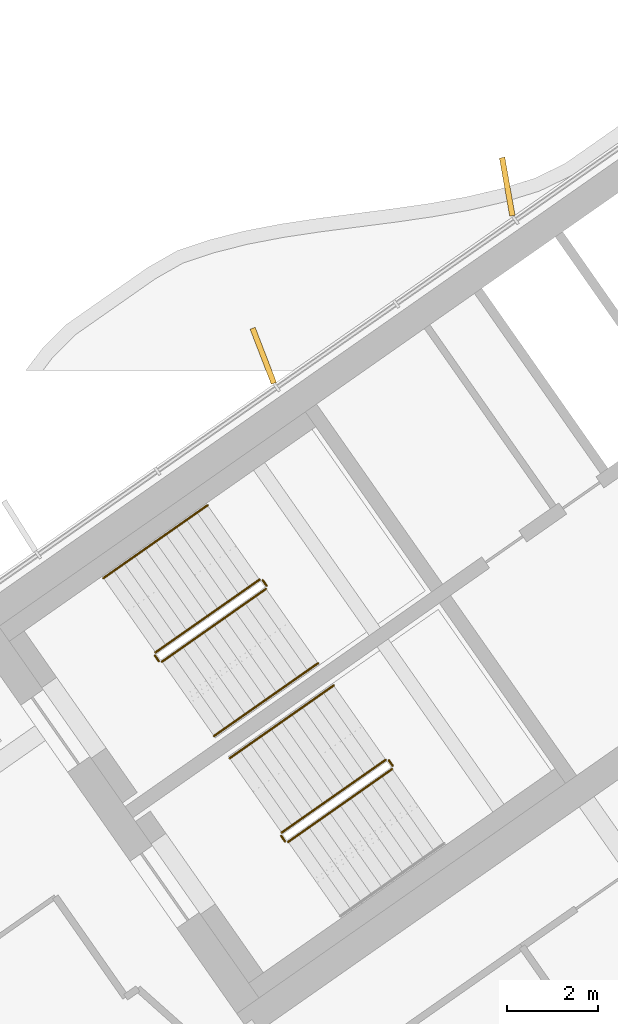
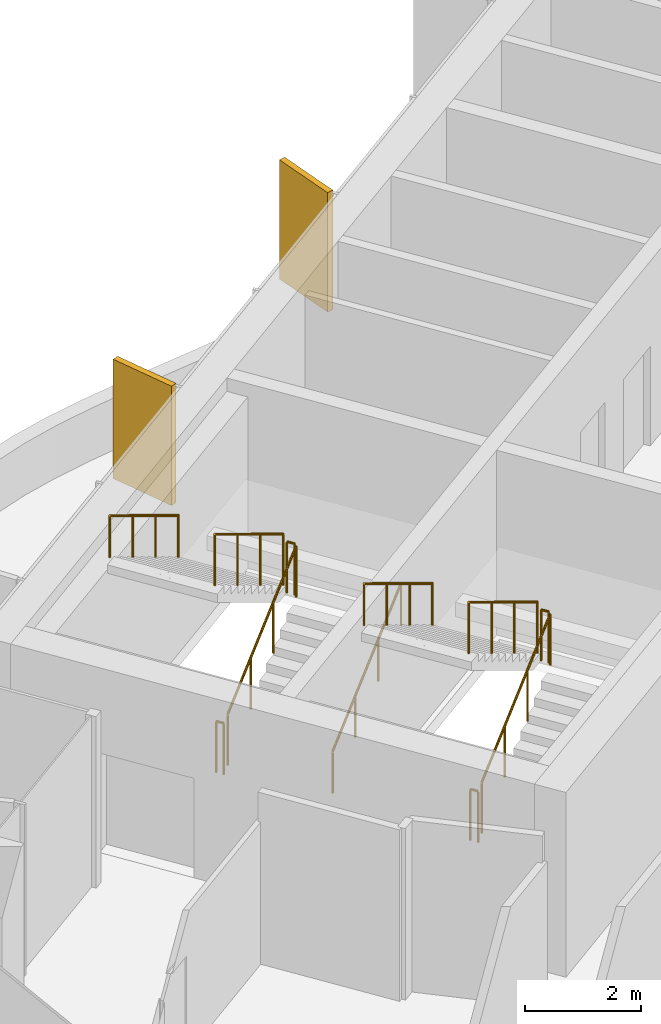
# One storey, part 17 of 20: 11 railings, 2 shading devices.
"""IFC4 building model written with IfcOpenShell, lengths in metres."""

from ifc_helpers import new_model, si_unit, direction, frame, origin, origin_2d, place, context, subcontext, project, spatial, rectangle, circle, extrude, material, layer, layer_set, type_object, element, save


model = new_model("IFC4")

# Units and contexts
model_context = context("Model", 3, precision=1e-05, world=origin(), true_north=direction((0.0, 1.0)))
body_context = subcontext(model_context, "Body", "Model", "MODEL_VIEW")
ifc_project = project(units=[si_unit("LENGTHUNIT", "METRE"), si_unit("AREAUNIT", "SQUARE_METRE"), si_unit("VOLUMEUNIT", "CUBIC_METRE"), si_unit("PLANEANGLEUNIT", "RADIAN"), si_unit("MASSUNIT", "GRAM", prefix="KILO")], contexts=[model_context])

# Site, building, storey
site_placement = place(None, origin())
site = spatial("IfcSite", under=ifc_project, at=site_placement, CompositionType="ELEMENT")
building_placement = place(site_placement, origin())
building = spatial("IfcBuilding", under=site, at=building_placement, Name="Tel Ilan Convention Tower", CompositionType="ELEMENT")
storey_placement = place(building_placement, frame((0.0, 0.0, 233.199951171875)))
storey = spatial("IfcBuildingStorey", under=building, at=storey_placement, Name="L54", CompositionType="ELEMENT", Elevation=233.199951171875)

# Shading devices
ifc_material_1 = material(Name="Aluminium, bronze anodised", Category="aluminium")
ifc_layer = layer(ifc_material_1, 0.1201171875)
ifc_layer_set = layer_set([ifc_layer], Name="FIN BRONZE 1300x120")
shading_device_type = type_object("IfcShadingDeviceType", Name="FIN BRONZE 1300x120", PredefinedType="USERDEFINED", material=ifc_layer_set)
for number, where, z_axis, x_axis, name in (
    (1, (-15.9228515625, 2.41845703125, 1.10009765625), (0.0, 0.0, 1.0), (-0.173648177667, 0.984807753012, 0.0), "FIN"),
    (2, (-21.302978515625, -1.31103515625, 1.10009765625), (0.0, 0.0, 1.0), (-0.360177724803, 0.932883704733, 0.0), "FIN"),
):
    element("IfcShadingDevice", number, at=place(storey_placement, frame(where, z_axis=z_axis, x_axis=x_axis)), inside=storey, type_object=shading_device_type, Name=name, ObjectType="FIN", PredefinedType="USERDEFINED", context=body_context, shape_type="SweptSolid", body=[
        extrude(rectangle(XDim=1.300048828125, YDim=0.1201171875, at=origin_2d()), origin(), (0.0, 0.0, 1.0), 2.52001953125),
    ])

# Railings
ifc_material_2 = material(Name="Stainless Steel Grade 316", Category="steel")
railing_type_1 = type_object("IfcRailingType", Name="Stainless Steel Stair Guard 1100 mm", PredefinedType="GUARDRAIL", material=ifc_material_2)
railing_1_placement = place(storey_placement, frame((-23.535400390625, -8.056396484375, 0.17724609375)))
element("IfcRailing", 3, at=railing_1_placement, inside=storey, type_object=railing_type_1, Name="L54 S1 stair guard 1", PredefinedType="GUARDRAIL", context=body_context, shape_type="SweptSolid", body=[
    extrude(circle(Radius=0.02392578125, at=origin_2d()), frame((0.0, 0.0, 1.076171875), z_axis=(0.692098378994, 0.484653031975, 0.534893701956), x_axis=(-0.573608623498, 0.819129505664, 0.0)), (0.0, 0.0, 1.0), 3.314208984375),
    extrude(circle(Radius=0.02099609375, at=origin_2d()), origin(), (0.0, 0.0, 1.0), 1.052001953125),
    extrude(circle(Radius=0.02099609375, at=origin_2d()), frame((0.7646484375, 0.535400390625, 0.5908203125)), (0.0, 0.0, 1.0), 1.052001953125),
    extrude(circle(Radius=0.02099609375, at=origin_2d()), frame((1.529052734375, 1.07080078125, 1.181884765625)), (0.0, 0.0, 1.0), 1.052001953125),
    extrude(circle(Radius=0.02099609375, at=origin_2d()), frame((2.293701171875, 1.606201171875, 1.772705078125)), (0.0, 0.0, 1.0), 1.052001953125),
])
railing_2_placement = place(storey_placement, frame((-21.2294921875, -6.380615234375, 1.949951171875)))
element("IfcRailing", 4, at=railing_2_placement, inside=storey, type_object=railing_type_1, Name="L54 S1 stair guard 2", PredefinedType="GUARDRAIL", context=body_context, shape_type="SweptSolid", body=[
    extrude(circle(Radius=0.02392578125, at=origin_2d()), frame((0.0, 0.0, 1.076171875), z_axis=(-0.573353020881, 0.819308436089, 0.0), x_axis=(-0.819308436089, -0.573353020881, 0.0)), (0.0, 0.0, 1.0), 0.14990234375),
    extrude(circle(Radius=0.02099609375, at=origin_2d()), origin(), (0.0, 0.0, 1.0), 1.052001953125),
    extrude(circle(Radius=0.02099609375, at=origin_2d()), frame((-0.0859375, 0.122802734375, 0.0)), (0.0, 0.0, 1.0), 1.052001953125),
])
railing_3_placement = place(storey_placement, frame((-21.38525390625, -6.24560546875, 2.12744140625)))
element("IfcRailing", 5, at=railing_3_placement, inside=storey, type_object=railing_type_1, Name="L54 S1 stair guard 3", PredefinedType="GUARDRAIL", context=body_context, shape_type="SweptSolid", body=[
    extrude(circle(Radius=0.02392578125, at=origin_2d()), frame((0.0, 0.0, 1.076171875), z_axis=(-0.692084706163, -0.484621375041, 0.534940073605), x_axis=(0.573591086599, -0.819141785879, 0.0)), (0.0, 0.0, 1.0), 3.313720703125),
    extrude(circle(Radius=0.02099609375, at=origin_2d()), origin(), (0.0, 0.0, 1.0), 1.052001953125),
    extrude(circle(Radius=0.02099609375, at=origin_2d()), frame((-0.764404296875, -0.535400390625, 0.5908203125)), (0.0, 0.0, 1.0), 1.052001953125),
    extrude(circle(Radius=0.02099609375, at=origin_2d()), frame((-1.529052734375, -1.070556640625, 1.181884765625)), (0.0, 0.0, 1.0), 1.052001953125),
    extrude(circle(Radius=0.02099609375, at=origin_2d()), frame((-2.29345703125, -1.60595703125, 1.772705078125)), (0.0, 0.0, 1.0), 1.052001953125),
])
railing_4_placement = place(storey_placement, frame((-23.60498046875, -8.0439453125, 0.0)))
element("IfcRailing", 6, at=railing_4_placement, inside=storey, type_object=railing_type_1, Name="L54 S1 stair guard 4", PredefinedType="GUARDRAIL", context=body_context, shape_type="SweptSolid", body=[
    extrude(circle(Radius=0.02392578125, at=origin_2d()), frame((0.0, 0.0, 1.076171875), z_axis=(-0.574444878118, 0.818543268254, 0.0), x_axis=(-0.818543268254, -0.574444878118, 0.0)), (0.0, 0.0, 1.0), 0.150146484375),
    extrude(circle(Radius=0.02099609375, at=origin_2d()), origin(), (0.0, 0.0, 1.0), 1.052001953125),
    extrude(circle(Radius=0.02099609375, at=origin_2d()), frame((-0.086181640625, 0.122802734375, 0.0)), (0.0, 0.0, 1.0), 1.052001953125),
])
railing_5_placement = place(storey_placement, frame((-20.753662109375, -12.029296875, 0.17724609375)))
element("IfcRailing", 7, at=railing_5_placement, inside=storey, type_object=railing_type_1, Name="L54 S2 stair guard 1", PredefinedType="GUARDRAIL", context=body_context, shape_type="SweptSolid", body=[
    extrude(circle(Radius=0.02392578125, at=origin_2d()), frame((0.0, 0.0, 1.076171875), z_axis=(0.692098378994, 0.484653031975, 0.534893701956), x_axis=(-0.573608623498, 0.819129505664, 0.0)), (0.0, 0.0, 1.0), 3.314208984375),
    extrude(circle(Radius=0.02099609375, at=origin_2d()), origin(), (0.0, 0.0, 1.0), 1.052001953125),
    extrude(circle(Radius=0.02099609375, at=origin_2d()), frame((0.7646484375, 0.535400390625, 0.5908203125)), (0.0, 0.0, 1.0), 1.052001953125),
    extrude(circle(Radius=0.02099609375, at=origin_2d()), frame((1.529052734375, 1.07080078125, 1.181884765625)), (0.0, 0.0, 1.0), 1.052001953125),
    extrude(circle(Radius=0.02099609375, at=origin_2d()), frame((2.293701171875, 1.606201171875, 1.772705078125)), (0.0, 0.0, 1.0), 1.052001953125),
])
railing_6_placement = place(storey_placement, frame((-18.44775390625, -10.353515625, 1.949951171875)))
element("IfcRailing", 8, at=railing_6_placement, inside=storey, type_object=railing_type_1, Name="L54 S2 stair guard 2", PredefinedType="GUARDRAIL", context=body_context, shape_type="SweptSolid", body=[
    extrude(circle(Radius=0.02392578125, at=origin_2d()), frame((0.0, 0.0, 1.076171875), z_axis=(-0.573353020881, 0.819308436089, 0.0), x_axis=(-0.819308436089, -0.573353020881, 0.0)), (0.0, 0.0, 1.0), 0.14990234375),
    extrude(circle(Radius=0.02099609375, at=origin_2d()), origin(), (0.0, 0.0, 1.0), 1.052001953125),
    extrude(circle(Radius=0.02099609375, at=origin_2d()), frame((-0.0859375, 0.122802734375, 0.0)), (0.0, 0.0, 1.0), 1.052001953125),
])
railing_7_placement = place(storey_placement, frame((-18.603271484375, -10.218505859375, 2.12744140625)))
element("IfcRailing", 9, at=railing_7_placement, inside=storey, type_object=railing_type_1, Name="L54 S2 stair guard 3", PredefinedType="GUARDRAIL", context=body_context, shape_type="SweptSolid", body=[
    extrude(circle(Radius=0.02392578125, at=origin_2d()), frame((0.0, 0.0, 1.076171875), z_axis=(-0.692123088272, -0.484596665743, 0.534912798717), x_axis=(0.573550118428, -0.819170471667, 0.0)), (0.0, 0.0, 1.0), 3.31396484375),
    extrude(circle(Radius=0.02099609375, at=origin_2d()), origin(), (0.0, 0.0, 1.0), 1.052001953125),
    extrude(circle(Radius=0.02099609375, at=origin_2d()), frame((-0.7646484375, -0.535400390625, 0.5908203125)), (0.0, 0.0, 1.0), 1.052001953125),
    extrude(circle(Radius=0.02099609375, at=origin_2d()), frame((-1.529052734375, -1.070556640625, 1.181884765625)), (0.0, 0.0, 1.0), 1.052001953125),
    extrude(circle(Radius=0.02099609375, at=origin_2d()), frame((-2.293701171875, -1.60595703125, 1.772705078125)), (0.0, 0.0, 1.0), 1.052001953125),
])
railing_8_placement = place(storey_placement, frame((-20.8232421875, -12.016845703125, 0.0)))
element("IfcRailing", 10, at=railing_8_placement, inside=storey, type_object=railing_type_1, Name="L54 S2 stair guard 4", PredefinedType="GUARDRAIL", context=body_context, shape_type="SweptSolid", body=[
    extrude(circle(Radius=0.02392578125, at=origin_2d()), frame((0.0, 0.0, 1.076171875), z_axis=(-0.573353020881, 0.819308436089, 0.0), x_axis=(-0.819308436089, -0.573353020881, 0.0)), (0.0, 0.0, 1.0), 0.14990234375),
    extrude(circle(Radius=0.02099609375, at=origin_2d()), origin(), (0.0, 0.0, 1.0), 1.052001953125),
    extrude(circle(Radius=0.02099609375, at=origin_2d()), frame((-0.0859375, 0.122802734375, 0.0)), (0.0, 0.0, 1.0), 1.052001953125),
])
ifc_material_3 = material(Name="Stainless Steel Grade 316", Category="steel")
railing_type_2 = type_object("IfcRailingType", Name="Stainless Steel Stair Handrail 900 mm", PredefinedType="HANDRAIL", material=ifc_material_3)
railing_9_placement = place(storey_placement, frame((-22.38818359375, -9.694580078125, 0.17724609375)))
element("IfcRailing", 11, at=railing_9_placement, inside=storey, type_object=railing_type_2, Name="L54 S1 stair handrail 1", PredefinedType="HANDRAIL", context=body_context, shape_type="SweptSolid", body=[
    extrude(circle(Radius=0.02392578125, at=origin_2d()), frame((0.0, 0.0, 0.8759765625), z_axis=(0.692084706163, 0.484621375041, 0.534940073605), x_axis=(-0.573591086599, 0.819141785879, 0.0)), (0.0, 0.0, 1.0), 3.313720703125),
    extrude(circle(Radius=0.02099609375, at=origin_2d()), origin(), (0.0, 0.0, 1.0), 0.851806640625),
    extrude(circle(Radius=0.02099609375, at=origin_2d()), frame((0.764404296875, 0.535400390625, 0.5908203125)), (0.0, 0.0, 1.0), 0.851806640625),
    extrude(circle(Radius=0.02099609375, at=origin_2d()), frame((1.529052734375, 1.070556640625, 1.181884765625)), (0.0, 0.0, 1.0), 0.851806640625),
    extrude(circle(Radius=0.02099609375, at=origin_2d()), frame((2.29345703125, 1.60595703125, 1.772705078125)), (0.0, 0.0, 1.0), 0.851806640625),
])
for number, where, name in (
    (12, (-22.5322265625, -4.607177734375, 2.12744140625), "L54 S1 stair handrail 2"),
    (13, (-19.75048828125, -8.580078125, 2.12744140625), "L54 S2 stair handrail 2"),
):
    element("IfcRailing", number, at=place(storey_placement, frame(where)), inside=storey, type_object=railing_type_2, Name=name, PredefinedType="HANDRAIL", context=body_context, shape_type="SweptSolid", body=[
        extrude(circle(Radius=0.02392578125, at=origin_2d()), frame((0.0, 0.0, 0.8759765625), z_axis=(-0.692123088272, -0.484596665743, 0.534912798717), x_axis=(0.573550118428, -0.819170471667, 0.0)), (0.0, 0.0, 1.0), 3.31396484375),
        extrude(circle(Radius=0.02099609375, at=origin_2d()), origin(), (0.0, 0.0, 1.0), 0.851806640625),
        extrude(circle(Radius=0.02099609375, at=origin_2d()), frame((-0.7646484375, -0.535400390625, 0.5908203125)), (0.0, 0.0, 1.0), 0.851806640625),
        extrude(circle(Radius=0.02099609375, at=origin_2d()), frame((-1.529052734375, -1.070556640625, 1.181884765625)), (0.0, 0.0, 1.0), 0.851806640625),
        extrude(circle(Radius=0.02099609375, at=origin_2d()), frame((-2.293701171875, -1.60595703125, 1.772705078125)), (0.0, 0.0, 1.0), 0.851806640625),
    ])

save(model, "model.ifc")
